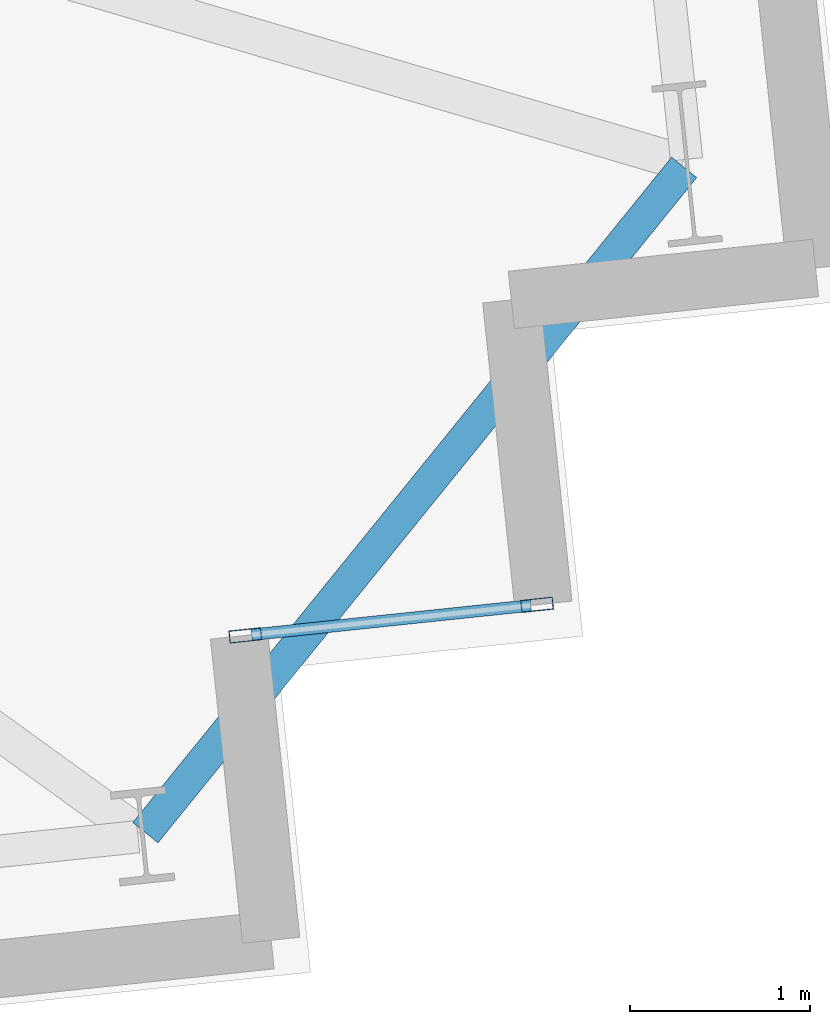
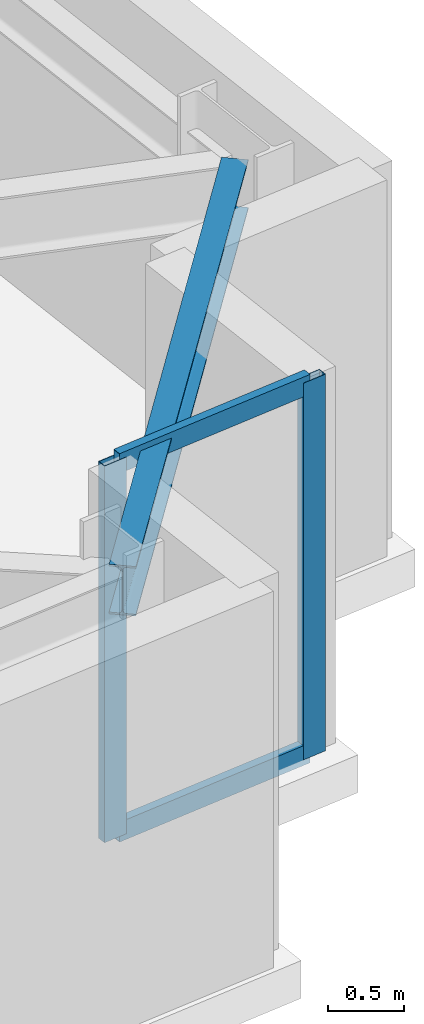
# One storey, part 6 of 19: 4 members, 1 beam, 1 element without a shape of its own.
"""IFC4 building model written with IfcOpenShell, lengths in metres."""

from ifc_helpers import new_model, si_unit, direction, frame, origin, origin_2d, place, context, subcontext, project, spatial, hollow_rectangle, i_section, extrude, material, layer, layer_set, material_profile, profile_set, type_object, element, aggregate, save


model = new_model("IFC4")

# Units and contexts
model_context = context("Model", 3, precision=1e-05, world=origin(), true_north=direction((0.0, 1.0)))
body_context = subcontext(model_context, "Body", "Model", "MODEL_VIEW")
ifc_project = project(units=[si_unit("LENGTHUNIT", "METRE"), si_unit("AREAUNIT", "SQUARE_METRE"), si_unit("VOLUMEUNIT", "CUBIC_METRE"), si_unit("PLANEANGLEUNIT", "RADIAN"), si_unit("MASSUNIT", "GRAM", prefix="KILO")], contexts=[model_context])

# Site, building, storey
site_placement = place(None, origin())
site = spatial("IfcSite", under=ifc_project, at=site_placement, CompositionType="ELEMENT")
building_placement = place(site_placement, origin())
building = spatial("IfcBuilding", under=site, at=building_placement, Name="Qobustan Lattice House", CompositionType="ELEMENT")
storey_placement = place(building_placement, frame((0.0, 0.0, 82.35009765625)))
storey = spatial("IfcBuildingStorey", under=building, at=storey_placement, Name="L22", CompositionType="ELEMENT", Elevation=82.35009765625)

# Beam
ifc_material_1 = material(Name="Steel S355", Category="steel")
ifc_material_profile_1 = material_profile(ifc_material_1, i_section(OverallWidth=0.179931640625, OverallDepth=0.39990234375, WebThickness=0.008544921875, FlangeThickness=0.013427734375, FilletRadius=0.02099609375, at=origin_2d()), Name="IPE400")
ifc_profile_set_1 = profile_set([ifc_material_profile_1], Name="Steel S355")
beam_type = type_object("IfcBeamType", Name="BM-SPD-IPE400", PredefinedType="SPANDREL", material=ifc_profile_set_1)
beam_placement = place(storey_placement, frame((29.608642578125, -13.3876953125, 2.844970703125), z_axis=(0.629351720588, 0.777120590252, 0.0), x_axis=(-0.777120590252, 0.629351720588, 0.0)))
element("IfcBeam", 1, at=beam_placement, inside=storey, type_object=beam_type, Name="L22 perimeter spandrel S7-E1", PredefinedType="SPANDREL", context=body_context, shape_type="SweptSolid", body=[
    extrude(i_section(OverallWidth=0.179931640625, OverallDepth=0.39990234375, WebThickness=0.008544921875, FlangeThickness=0.013427734375, FilletRadius=0.02099609375, at=origin_2d()), origin(), (0.0, 0.0, 1.0), 4.75830078125),
])

# Curtain wall, members
ifc_material_2 = material(Name="Anodised aluminium and low-E glazing", Category="aluminium")
ifc_layer = layer(ifc_material_2, 0.219970703125)
ifc_layer_set = layer_set([ifc_layer], Name="Anodised aluminium and low-E glazing")
curtain_wall_type = type_object("IfcCurtainWallType", Name="CW-FAC-01", PredefinedType="USERDEFINED", material=ifc_layer_set)
curtain_wall_placement = place(storey_placement, origin())
curtain_wall = element("IfcCurtainWall", 2, at=curtain_wall_placement, inside=storey, type_object=curtain_wall_type, Name="L22 serrated corner faceted glazing 18", ObjectType="CURTAIN WALL", PredefinedType="USERDEFINED")
ifc_material_3 = material(Name="Anodised aluminium EN AW-6063 T6", Category="aluminium")
ifc_material_profile_2 = material_profile(ifc_material_3, hollow_rectangle(XDim=0.070068359375, YDim=0.179931640625, WallThickness=0.00439453125, at=origin_2d()), Name="CWM-180x70")
ifc_profile_set_2 = profile_set([ifc_material_profile_2], Name="Anodised aluminium EN AW-6063 T6")
member_type_1 = type_object("IfcMemberType", Name="CWM-STD-180", PredefinedType="MULLION", material=ifc_profile_set_2)
member_1_placement = place(storey_placement, frame((31.785400390625, -12.12109375, 0.0), z_axis=(0.0, 0.0, 1.0), x_axis=(0.104528620025, -0.994521878892, 0.0)))
member_1 = element("IfcMember", 3, at=member_1_placement, type_object=member_type_1, Name="CW-F1 mullion 1", PredefinedType="MULLION", context=body_context, shape_type="SweptSolid", body=[
    extrude(hollow_rectangle(XDim=0.070068359375, YDim=0.179931640625, WallThickness=0.00439453125, at=origin_2d()), origin(), (0.0, 0.0, 1.0), 3.044921875),
])
member_2_placement = place(storey_placement, frame((30.164306640625, -12.29150390625, 0.0), z_axis=(0.0, 0.0, 1.0), x_axis=(0.104528620025, -0.994521878892, 0.0)))
member_2 = element("IfcMember", 4, at=member_2_placement, type_object=member_type_1, Name="CW-F1 mullion 2", PredefinedType="MULLION", context=body_context, shape_type="SweptSolid", body=[
    extrude(hollow_rectangle(XDim=0.070068359375, YDim=0.179931640625, WallThickness=0.00439453125, at=origin_2d()), origin(), (0.0, 0.0, 1.0), 3.044921875),
])
ifc_material_4 = material(Name="Anodised aluminium EN AW-6063 T6", Category="aluminium")
ifc_material_profile_3 = material_profile(ifc_material_4, hollow_rectangle(XDim=0.06494140625, YDim=0.159912109375, WallThickness=0.00390625, at=origin_2d()), Name="CWT-160x65")
ifc_profile_set_3 = profile_set([ifc_material_profile_3], Name="Anodised aluminium EN AW-6063 T6")
member_type_2 = type_object("IfcMemberType", Name="CWT-HOR-160", PredefinedType="USERDEFINED", material=ifc_profile_set_3)
member_3_placement = place(storey_placement, frame((31.750732421875, -12.124755859375, 0.032470703125), z_axis=(-0.994520877159, -0.104538150424, 0.0), x_axis=(0.104538150424, -0.994520877159, 0.0)))
member_3 = element("IfcMember", 5, at=member_3_placement, type_object=member_type_2, Name="CW-F1 transom 1.1", ObjectType="TRANSOM", PredefinedType="USERDEFINED", context=body_context, shape_type="SweptSolid", body=[
    extrude(hollow_rectangle(XDim=0.06494140625, YDim=0.159912109375, WallThickness=0.00390625, at=origin_2d()), origin(), (0.0, 0.0, 1.0), 1.56005859375),
])
member_4_placement = place(storey_placement, frame((31.750732421875, -12.124755859375, 3.012451171875), z_axis=(-0.994520877159, -0.104538150424, 0.0), x_axis=(0.104538150424, -0.994520877159, 0.0)))
member_4 = element("IfcMember", 6, at=member_4_placement, type_object=member_type_2, Name="CW-F1 transom 1.2", ObjectType="TRANSOM", PredefinedType="USERDEFINED", context=body_context, shape_type="SweptSolid", body=[
    extrude(hollow_rectangle(XDim=0.06494140625, YDim=0.159912109375, WallThickness=0.00390625, at=origin_2d()), origin(), (0.0, 0.0, 1.0), 1.56005859375),
])
aggregate(curtain_wall, [member_1, member_2, member_3, member_4])

save(model, "model.ifc")
